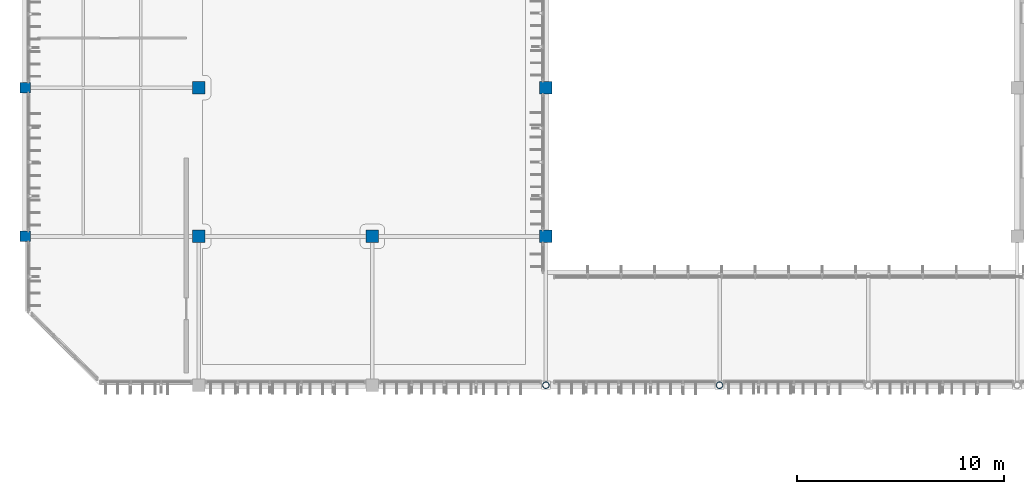
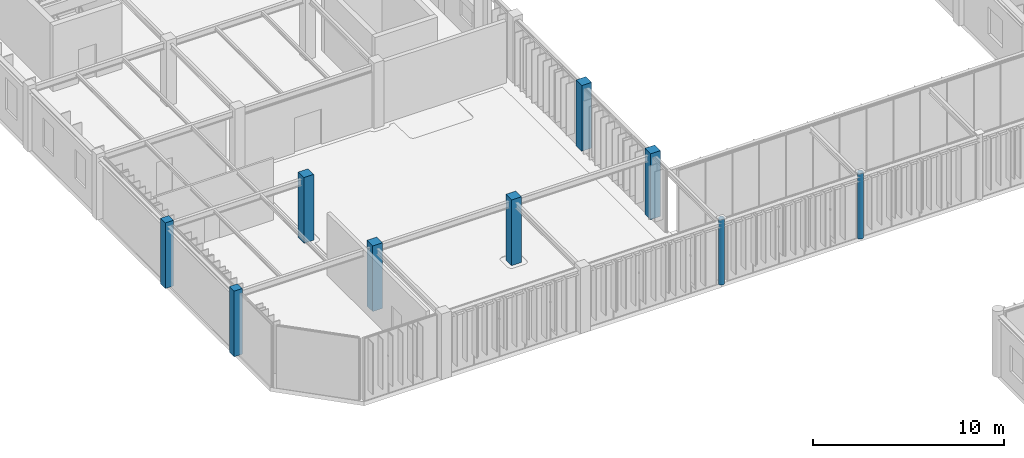
# One storey, part 2 of 104: 9 columns.
"""IFC4 building model written with IfcOpenShell, lengths in metres."""

from ifc_helpers import new_model, si_unit, direction, frame, origin, origin_2d, place, context, subcontext, project, spatial, rectangle, hollow_circle, extrude, material, material_profile, profile_set, type_object, element, save


model = new_model("IFC4")

# Units and contexts
model_context = context("Model", 3, precision=1e-05, world=origin(), true_north=direction((0.0, 1.0)))
body_context = subcontext(model_context, "Body", "Model", "MODEL_VIEW")
ifc_project = project(units=[si_unit("LENGTHUNIT", "METRE"), si_unit("AREAUNIT", "SQUARE_METRE"), si_unit("VOLUMEUNIT", "CUBIC_METRE"), si_unit("PLANEANGLEUNIT", "RADIAN"), si_unit("MASSUNIT", "GRAM", prefix="KILO")], contexts=[model_context])

# Site, building, storey
site_placement = place(None, origin())
site = spatial("IfcSite", under=ifc_project, at=site_placement, CompositionType="ELEMENT")
building_placement = place(site_placement, origin())
building = spatial("IfcBuilding", under=site, at=building_placement, Name="Tazoul Stagehouse", CompositionType="ELEMENT")
storey_placement = place(building_placement, frame((0.0, 0.0, 9.0)))
storey = spatial("IfcBuildingStorey", under=building, at=storey_placement, Name="L02", CompositionType="ELEMENT", Elevation=9.0)

# Columns
ifc_material_1 = material(Name="Concrete C40/50", Category="concrete")
ifc_material_profile_1 = material_profile(ifc_material_1, rectangle(XDim=0.5, YDim=0.5, at=origin_2d()), Name="RC 500x500")
ifc_profile_set_1 = profile_set([ifc_material_profile_1], Name="Concrete C40/50")
column_type_1 = type_object("IfcColumnType", Name="RC Column 500x500 (Exterior)", PredefinedType="COLUMN", material=ifc_profile_set_1)
for number, where, z_axis, x_axis, name in (
    (1, (2.39990234375, 51.800048828125, 0.0), (0.0, 0.0, 1.0), (1.0, 0.0, 0.0), "L02 Column C-02E at 1/H"),
    (2, (2.39990234375, 59.0, 0.0), (0.0, 0.0, 1.0), (1.0, 0.0, 0.0), "L02 Column C-02E at 1/J"),
):
    element("IfcColumn", number, at=place(storey_placement, frame(where, z_axis=z_axis, x_axis=x_axis)), inside=storey, type_object=column_type_1, Name=name, PredefinedType="COLUMN", context=body_context, shape_type="SweptSolid", body=[
        extrude(rectangle(XDim=0.5, YDim=0.5, at=origin_2d()), origin(), (0.0, 0.0, 1.0), 4.199951171875),
    ])
ifc_material_profile_2 = material_profile(ifc_material_1, rectangle(XDim=0.60009765625, YDim=0.60009765625, at=origin_2d()), Name="RC 600x600")
ifc_profile_set_2 = profile_set([ifc_material_profile_2], Name="Concrete C40/50")
column_type_2 = type_object("IfcColumnType", Name="RC Column 600x600", PredefinedType="COLUMN", material=ifc_profile_set_2)
for number, where, z_axis, x_axis, name in (
    (3, (10.800048828125, 51.800048828125, 0.0), (0.0, 0.0, 1.0), (1.0, 0.0, 0.0), "L02 Column C-03 at 2/H"),
    (4, (10.800048828125, 59.0, 0.0), (0.0, 0.0, 1.0), (1.0, 0.0, 0.0), "L02 Column C-03 at 2/J"),
    (5, (19.199951171875, 51.800048828125, 0.0), (0.0, 0.0, 1.0), (1.0, 0.0, 0.0), "L02 Column C-03 at 3/H"),
):
    element("IfcColumn", number, at=place(storey_placement, frame(where, z_axis=z_axis, x_axis=x_axis)), inside=storey, type_object=column_type_2, Name=name, PredefinedType="COLUMN", context=body_context, shape_type="SweptSolid", body=[
        extrude(rectangle(XDim=0.60009765625, YDim=0.60009765625, at=origin_2d()), origin(), (0.0, 0.0, 1.0), 4.199951171875),
    ])
ifc_material_profile_3 = material_profile(ifc_material_1, rectangle(XDim=0.60009765625, YDim=0.60009765625, at=origin_2d()), Name="RC 600x600")
ifc_profile_set_3 = profile_set([ifc_material_profile_3], Name="Concrete C40/50")
column_type_3 = type_object("IfcColumnType", Name="RC Column 600x600 (Exterior)", PredefinedType="COLUMN", material=ifc_profile_set_3)
for number, where, z_axis, x_axis, name in (
    (6, (27.60009765625, 51.800048828125, 0.0), (0.0, 0.0, 1.0), (1.0, 0.0, 0.0), "L02 Column C-03E at 4/H"),
    (7, (27.60009765625, 59.0, 0.0), (0.0, 0.0, 1.0), (1.0, 0.0, 0.0), "L02 Column C-03E at 4/J"),
):
    element("IfcColumn", number, at=place(storey_placement, frame(where, z_axis=z_axis, x_axis=x_axis)), inside=storey, type_object=column_type_3, Name=name, PredefinedType="COLUMN", context=body_context, shape_type="SweptSolid", body=[
        extrude(rectangle(XDim=0.60009765625, YDim=0.60009765625, at=origin_2d()), origin(), (0.0, 0.0, 1.0), 4.199951171875),
    ])
ifc_material_2 = material(Name="Steel S355", Category="steel")
ifc_material_profile_4 = material_profile(ifc_material_2, hollow_circle(Radius=0.161865234375, WallThickness=0.012451171875, at=origin_2d()), Name="CHS 323.9x12.5")
ifc_profile_set_4 = profile_set([ifc_material_profile_4], Name="Steel S355")
column_type_4 = type_object("IfcColumnType", Name="Steel Arcade Column CHS 323.9x12.5 (Exterior)", PredefinedType="COLUMN", material=ifc_profile_set_4)
for number, where, z_axis, x_axis, name in (
    (8, (27.60009765625, 44.60009765625, 0.0), (0.0, 0.0, 1.0), (1.0, 0.0, 0.0), "L02 Column SC-07E at 4/G"),
    (9, (36.0, 44.60009765625, 0.0), (0.0, 0.0, 1.0), (1.0, 0.0, 0.0), "L02 Column SC-07E at 5/G"),
):
    element("IfcColumn", number, at=place(storey_placement, frame(where, z_axis=z_axis, x_axis=x_axis)), inside=storey, type_object=column_type_4, Name=name, PredefinedType="COLUMN", context=body_context, shape_type="SweptSolid", body=[
        extrude(hollow_circle(Radius=0.161865234375, WallThickness=0.012451171875, at=origin_2d()), origin(), (0.0, 0.0, 1.0), 4.199951171875),
    ])

save(model, "model.ifc")
